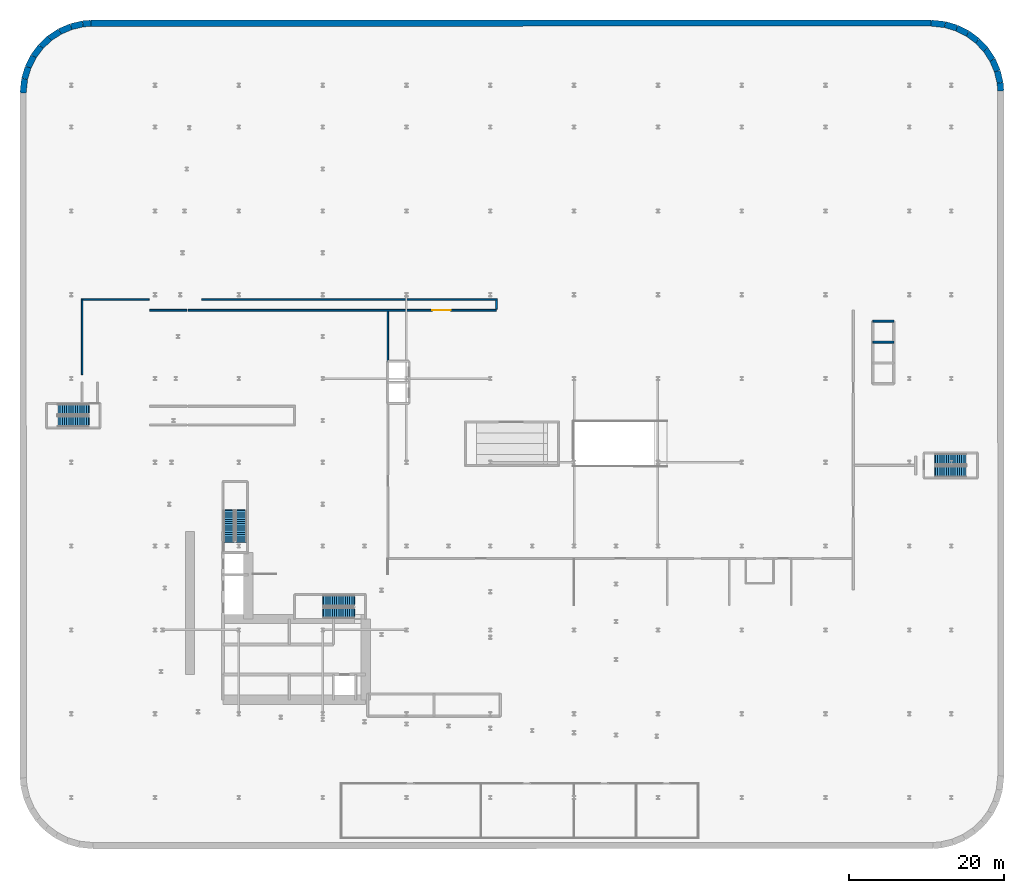
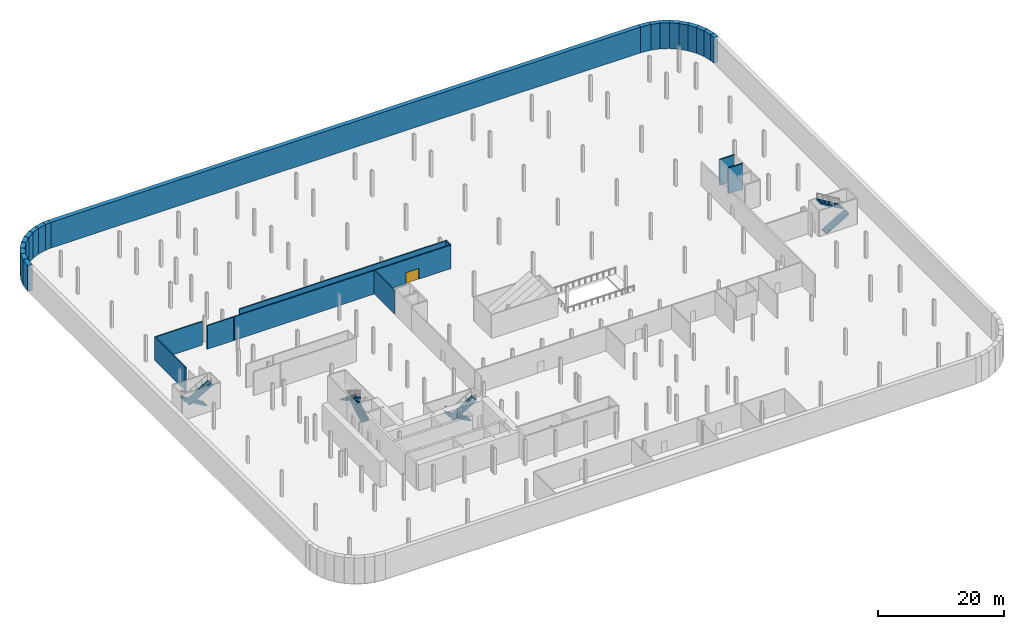
# One storey, part 14 of 19: 28 walls, 8 stair flights, 1 door, 1 opening, 4 elements without a shape of their own.
"""IFC4 building model written with IfcOpenShell, lengths in metres."""

from ifc_helpers import new_model, si_unit, direction, frame, frame_2d, origin, place, context, subcontext, project, spatial, polyline, rectangle, outline, extrude, source, transform, mapped, material, layer, layer_set, type_object, element, fill, aggregate, save


model = new_model("IFC4")

# Units and contexts
model_context = context("Model", 3, precision=1e-05, world=origin(), true_north=direction((0.0, 1.0)))
body_context = subcontext(model_context, "Body", "Model", "MODEL_VIEW")
ifc_project = project(units=[si_unit("LENGTHUNIT", "METRE"), si_unit("AREAUNIT", "SQUARE_METRE"), si_unit("VOLUMEUNIT", "CUBIC_METRE"), si_unit("PLANEANGLEUNIT", "RADIAN"), si_unit("MASSUNIT", "GRAM", prefix="KILO")], contexts=[model_context])

# Site, building, storey
site_placement = place(None, origin())
site = spatial("IfcSite", under=ifc_project, at=site_placement, CompositionType="ELEMENT")
building_placement = place(site_placement, origin())
building = spatial("IfcBuilding", under=site, at=building_placement, Name="Kheshtan School and Residences Tower", CompositionType="ELEMENT")
storey_placement = place(building_placement, frame((0.0, 0.0, -5.0)))
storey = spatial("IfcBuildingStorey", under=building, at=storey_placement, Name="B1", CompositionType="ELEMENT", Elevation=-5.0)

# Walls
ifc_material_1 = material(Name="Concrete C35/45", Category="concrete")
ifc_layer_1 = layer(ifc_material_1, 0.800048828125)
ifc_layer_set_1 = layer_set([ifc_layer_1], Name="Basement wall 800 Concrete C35/45")
wall_type_1 = type_object("IfcWallType", Name="Basement wall 800 Concrete C35/45", PredefinedType="SOLIDWALL", material=ifc_layer_set_1)
wall_1_placement = place(storey_placement, frame((9.0, 104.0, 0.0), z_axis=(0.0, 0.0, 1.0), x_axis=(0.105567043429, 0.994412187849, 0.0)))
element("IfcWall", 1, at=wall_1_placement, inside=storey, type_object=wall_type_1, Name="Secant pile wall 1", PredefinedType="SOLIDWALL", context=body_context, shape_type="SweptSolid", body=[
    extrude(rectangle(XDim=1.829345703125, YDim=0.800048828125, at=frame_2d((0.91455078125, 0.0))), origin(), (0.0, 0.0, 1.0), 5.0),
])
wall_2_placement = place(storey_placement, frame((9.193115234375, 105.819091796875, 0.0), z_axis=(0.0, 0.0, 1.0), x_axis=(0.287147763375, 0.957886299092, 0.0)))
element("IfcWall", 2, at=wall_2_placement, inside=storey, type_object=wall_type_1, Name="Secant pile wall 2", PredefinedType="SOLIDWALL", context=body_context, shape_type="SweptSolid", body=[
    extrude(rectangle(XDim=1.56689453125, YDim=0.800048828125, at=frame_2d((0.783447265625, 0.0))), origin(), (0.0, 0.0, 1.0), 5.0),
])
wall_3_placement = place(storey_placement, frame((9.64306640625, 107.320068359375, 0.0), z_axis=(0.0, 0.0, 1.0), x_axis=(0.448459314462, 0.893803246399, 0.0)))
element("IfcWall", 3, at=wall_3_placement, inside=storey, type_object=wall_type_1, Name="Secant pile wall 3", PredefinedType="SOLIDWALL", context=body_context, shape_type="SweptSolid", body=[
    extrude(rectangle(XDim=1.5673828125, YDim=0.800048828125, at=frame_2d((0.78369140625, 0.0))), origin(), (0.0, 0.0, 1.0), 5.0),
])
wall_4_placement = place(storey_placement, frame((10.345947265625, 108.720947265625, 0.0), z_axis=(0.0, 0.0, 1.0), x_axis=(0.597630520512, 0.801771638905, 0.0)))
element("IfcWall", 4, at=wall_4_placement, inside=storey, type_object=wall_type_1, Name="Secant pile wall 4", PredefinedType="SOLIDWALL", context=body_context, shape_type="SweptSolid", body=[
    extrude(rectangle(XDim=1.56787109375, YDim=0.800048828125, at=frame_2d((0.783935546875, 0.0))), origin(), (0.0, 0.0, 1.0), 5.0),
])
wall_5_placement = place(storey_placement, frame((11.282958984375, 109.97802734375, 0.0), z_axis=(0.0, 0.0, 1.0), x_axis=(0.726995868662, 0.686641833089, 0.0)))
element("IfcWall", 5, at=wall_5_placement, inside=storey, type_object=wall_type_1, Name="Secant pile wall 5", PredefinedType="SOLIDWALL", context=body_context, shape_type="SweptSolid", body=[
    extrude(rectangle(XDim=1.56689453125, YDim=0.800048828125, at=frame_2d((0.783447265625, 0.0))), origin(), (0.0, 0.0, 1.0), 5.0),
])
wall_6_placement = place(storey_placement, frame((12.422119140625, 111.053955078125, 0.0), z_axis=(0.0, 0.0, 1.0), x_axis=(0.835603348101, 0.549333272834, 0.0)))
element("IfcWall", 6, at=wall_6_placement, inside=storey, type_object=wall_type_1, Name="Secant pile wall 6", PredefinedType="SOLIDWALL", context=body_context, shape_type="SweptSolid", body=[
    extrude(rectangle(XDim=1.567626953125, YDim=0.800048828125, at=frame_2d((0.78369140625, 0.0))), origin(), (0.0, 0.0, 1.0), 5.0),
])
wall_7_placement = place(storey_placement, frame((13.73193359375, 111.9150390625, 0.0), z_axis=(0.0, 0.0, 1.0), x_axis=(0.918183437355, 0.396155493925, 0.0)))
element("IfcWall", 7, at=wall_7_placement, inside=storey, type_object=wall_type_1, Name="Secant pile wall 7", PredefinedType="SOLIDWALL", context=body_context, shape_type="SweptSolid", body=[
    extrude(rectangle(XDim=1.567138671875, YDim=0.800048828125, at=frame_2d((0.78369140625, 0.0))), origin(), (0.0, 0.0, 1.0), 5.0),
])
wall_8_placement = place(storey_placement, frame((15.1708984375, 112.535888671875, 0.0), z_axis=(0.0, 0.0, 1.0), x_axis=(0.972992949439, 0.230834833469, 0.0)))
element("IfcWall", 8, at=wall_8_placement, inside=storey, type_object=wall_type_1, Name="Secant pile wall 8", PredefinedType="SOLIDWALL", context=body_context, shape_type="SweptSolid", body=[
    extrude(rectangle(XDim=1.568603515625, YDim=0.800048828125, at=frame_2d((0.7841796875, 0.0))), origin(), (0.0, 0.0, 1.0), 5.0),
])
wall_9_placement = place(storey_placement, frame((16.697021484375, 112.89794921875, 0.0), z_axis=(0.0, 0.0, 1.0), x_axis=(0.996202832813, 0.087062712427, 0.0)))
element("IfcWall", 9, at=wall_9_placement, inside=storey, type_object=wall_type_1, Name="Secant pile wall 9", PredefinedType="SOLIDWALL", context=body_context, shape_type="SweptSolid", body=[
    extrude(rectangle(XDim=1.0458984375, YDim=0.800048828125, at=frame_2d((0.52294921875, 0.0))), origin(), (0.0, 0.0, 1.0), 5.0),
])
wall_10_placement = place(storey_placement, frame((17.739013671875, 112.989013671875, 0.0), z_axis=(0.0, 0.0, 1.0), x_axis=(0.999999994851, 0.000101480029, 0.0)))
element("IfcWall", 10, at=wall_10_placement, inside=storey, type_object=wall_type_1, Name="Secant pile wall 10", PredefinedType="SOLIDWALL", context=body_context, shape_type="SweptSolid", body=[
    extrude(rectangle(XDim=108.260986328125, YDim=0.800048828125, at=frame_2d((54.13037109375, 0.0))), origin(), (0.0, 0.0, 1.0), 5.0),
])
wall_11_placement = place(storey_placement, frame((126.0, 113.0, 0.0), z_axis=(0.0, 0.0, 1.0), x_axis=(0.994412187849, -0.105567043429, 0.0)))
element("IfcWall", 11, at=wall_11_placement, inside=storey, type_object=wall_type_1, Name="Secant pile wall 11", PredefinedType="SOLIDWALL", context=body_context, shape_type="SweptSolid", body=[
    extrude(rectangle(XDim=1.829345703125, YDim=0.800048828125, at=frame_2d((0.91455078125, 0.0))), origin(), (0.0, 0.0, 1.0), 5.0),
])
wall_12_placement = place(storey_placement, frame((127.819091796875, 112.806884765625, 0.0), z_axis=(0.0, 0.0, 1.0), x_axis=(0.957886299092, -0.287147763375, 0.0)))
element("IfcWall", 12, at=wall_12_placement, inside=storey, type_object=wall_type_1, Name="Secant pile wall 12", PredefinedType="SOLIDWALL", context=body_context, shape_type="SweptSolid", body=[
    extrude(rectangle(XDim=1.56689453125, YDim=0.800048828125, at=frame_2d((0.783447265625, 0.0))), origin(), (0.0, 0.0, 1.0), 5.0),
])
wall_13_placement = place(storey_placement, frame((129.320068359375, 112.35693359375, 0.0), z_axis=(0.0, 0.0, 1.0), x_axis=(0.893803246399, -0.448459314462, 0.0)))
element("IfcWall", 13, at=wall_13_placement, inside=storey, type_object=wall_type_1, Name="Secant pile wall 13", PredefinedType="SOLIDWALL", context=body_context, shape_type="SweptSolid", body=[
    extrude(rectangle(XDim=1.5673828125, YDim=0.800048828125, at=frame_2d((0.78369140625, 0.0))), origin(), (0.0, 0.0, 1.0), 5.0),
])
wall_14_placement = place(storey_placement, frame((130.720947265625, 111.654052734375, 0.0), z_axis=(0.0, 0.0, 1.0), x_axis=(0.801771638905, -0.597630520512, 0.0)))
element("IfcWall", 14, at=wall_14_placement, inside=storey, type_object=wall_type_1, Name="Secant pile wall 14", PredefinedType="SOLIDWALL", context=body_context, shape_type="SweptSolid", body=[
    extrude(rectangle(XDim=1.56787109375, YDim=0.800048828125, at=frame_2d((0.783935546875, 0.0))), origin(), (0.0, 0.0, 1.0), 5.0),
])
wall_15_placement = place(storey_placement, frame((131.97802734375, 110.717041015625, 0.0), z_axis=(0.0, 0.0, 1.0), x_axis=(0.686641833089, -0.726995868662, 0.0)))
element("IfcWall", 15, at=wall_15_placement, inside=storey, type_object=wall_type_1, Name="Secant pile wall 15", PredefinedType="SOLIDWALL", context=body_context, shape_type="SweptSolid", body=[
    extrude(rectangle(XDim=1.56689453125, YDim=0.800048828125, at=frame_2d((0.783447265625, 0.0))), origin(), (0.0, 0.0, 1.0), 5.0),
])
wall_16_placement = place(storey_placement, frame((133.053955078125, 109.577880859375, 0.0), z_axis=(0.0, 0.0, 1.0), x_axis=(0.549333272834, -0.835603348101, 0.0)))
element("IfcWall", 16, at=wall_16_placement, inside=storey, type_object=wall_type_1, Name="Secant pile wall 16", PredefinedType="SOLIDWALL", context=body_context, shape_type="SweptSolid", body=[
    extrude(rectangle(XDim=1.567626953125, YDim=0.800048828125, at=frame_2d((0.78369140625, 0.0))), origin(), (0.0, 0.0, 1.0), 5.0),
])
wall_17_placement = place(storey_placement, frame((133.9150390625, 108.26806640625, 0.0), z_axis=(0.0, 0.0, 1.0), x_axis=(0.396155493925, -0.918183437355, 0.0)))
element("IfcWall", 17, at=wall_17_placement, inside=storey, type_object=wall_type_1, Name="Secant pile wall 17", PredefinedType="SOLIDWALL", context=body_context, shape_type="SweptSolid", body=[
    extrude(rectangle(XDim=1.567138671875, YDim=0.800048828125, at=frame_2d((0.78369140625, 0.0))), origin(), (0.0, 0.0, 1.0), 5.0),
])
wall_18_placement = place(storey_placement, frame((134.535888671875, 106.8291015625, 0.0), z_axis=(0.0, 0.0, 1.0), x_axis=(0.230834833469, -0.972992949439, 0.0)))
element("IfcWall", 18, at=wall_18_placement, inside=storey, type_object=wall_type_1, Name="Secant pile wall 18", PredefinedType="SOLIDWALL", context=body_context, shape_type="SweptSolid", body=[
    extrude(rectangle(XDim=1.568603515625, YDim=0.800048828125, at=frame_2d((0.7841796875, 0.0))), origin(), (0.0, 0.0, 1.0), 5.0),
])
wall_19_placement = place(storey_placement, frame((134.89794921875, 105.302978515625, 0.0), z_axis=(0.0, 0.0, 1.0), x_axis=(0.087062712427, -0.996202832813, 0.0)))
element("IfcWall", 19, at=wall_19_placement, inside=storey, type_object=wall_type_1, Name="Secant pile wall 19", PredefinedType="SOLIDWALL", context=body_context, shape_type="SweptSolid", body=[
    extrude(rectangle(XDim=1.0458984375, YDim=0.800048828125, at=frame_2d((0.52294921875, 0.0))), origin(), (0.0, 0.0, 1.0), 5.0),
])
ifc_material_2 = material(Name="Gypsum board on steel studs with fire boards", Category="steel")
ifc_layer_2 = layer(ifc_material_2, 0.199951171875)
ifc_layer_set_2 = layer_set([ifc_layer_2], Name="Corridor wall 200")
wall_type_2 = type_object("IfcWallType", Name="Corridor wall 200", PredefinedType="PARTITIONING", material=ifc_layer_set_2)
wall_20_placement = place(storey_placement, frame((16.60009765625, 67.699951171875, 0.0), z_axis=(0.0, 0.0, 1.0), x_axis=(0.0, 1.0, 0.0)))
element("IfcWall", 20, at=wall_20_placement, inside=storey, type_object=wall_type_2, Name="Partition B1-002", PredefinedType="PARTITIONING", context=body_context, shape_type="SweptSolid", body=[
    extrude(rectangle(XDim=9.800048828125, YDim=0.199951171875, at=frame_2d((4.89990234375, 0.0))), origin(), (0.0, 0.0, 1.0), 4.580078125),
])
wall_21_placement = place(storey_placement, frame((16.699951171875, 77.39990234375, 0.0), z_axis=(0.0, 0.0, 1.0), x_axis=(1.0, 0.0, 0.0)))
element("IfcWall", 21, at=wall_21_placement, inside=storey, type_object=wall_type_2, Name="Partition B1-003", PredefinedType="PARTITIONING", context=body_context, shape_type="SweptSolid", body=[
    extrude(rectangle(XDim=8.550048828125, YDim=0.199951171875, at=frame_2d((4.27490234375, 0.0))), origin(), (0.0, 0.0, 1.0), 4.580078125),
])
wall_22_placement = place(storey_placement, frame((25.300048828125, 76.0, 0.0), z_axis=(0.0, 0.0, 1.0), x_axis=(1.0, 0.0, 0.0)))
element("IfcWall", 22, at=wall_22_placement, inside=storey, type_object=wall_type_2, Name="Partition B1-007", PredefinedType="PARTITIONING", context=body_context, shape_type="SweptSolid", body=[
    extrude(rectangle(XDim=4.800048828125, YDim=0.199951171875, at=frame_2d((2.39990234375, 0.0))), origin(), (0.0, 0.0, 1.0), 4.580078125),
])

# Wall, opening, door
wall_23_placement = place(storey_placement, frame((30.25, 76.0, 0.0), z_axis=(0.0, 0.0, 1.0), x_axis=(1.0, 0.0, 0.0)))
wall_23 = element("IfcWall", 23, at=wall_23_placement, inside=storey, type_object=wall_type_2, Name="Partition B1-010", PredefinedType="PARTITIONING", context=body_context, shape_type="SweptSolid", body=[
    extrude(rectangle(XDim=39.75, YDim=0.199951171875, at=frame_2d((19.875, 0.0))), origin(), (0.0, 0.0, 1.0), 4.580078125),
])
opening_placement = place(wall_23_placement, frame((31.449951171875, 0.0, 0.0)))
opening = element("IfcOpeningElement", 24, at=opening_placement, cuts=wall_23, Name="Opening D1-002", PredefinedType="OPENING", context=body_context, shape_type="SweptSolid", body=[
    extrude(rectangle(XDim=2.39990234375, YDim=2.10009765625, at=frame_2d((1.199951171875, 1.050048828125))), frame((0.0, 0.10986328125, 0.0), z_axis=(0.0, -1.0, 0.0), x_axis=(1.0, 0.0, 0.0)), (0.0, 0.0, 1.0), 0.219970703125),
])
ifc_material_3 = material(Name="Steel-framed fire-resisting door leaf", Category="steel")
door_type = type_object("IfcDoorType", Name="Fire double door FD60 2400 x 2100", OperationType="DOUBLE_DOOR_SINGLE_SWING", PredefinedType="DOOR", material=ifc_material_3)
shared_shape = source(origin(), body_context, "Body", "SweptSolid", [
    extrude(rectangle(XDim=2.39990234375, YDim=2.10009765625, at=frame_2d((1.199951171875, 1.050048828125))), frame((0.0, 0.02490234375, 0.0), z_axis=(0.0, -1.0, 0.0), x_axis=(1.0, 0.0, 0.0)), (0.0, 0.0, 1.0), 0.050048828125),
])
door_placement = place(opening_placement, origin())
door = element("IfcDoor", 25, at=door_placement, inside=storey, type_object=door_type, Name="Door D1-002", OperationType="DOUBLE_DOOR_SINGLE_SWING", OverallHeight=2.10009765625, OverallWidth=2.39990234375, PredefinedType="DOOR", context=body_context, shape_type="MappedRepresentation", body=[
    mapped(shared_shape, transform((0.0, 0.0, 0.0), x_axis=(1.0, 0.0, 0.0), y_axis=(0.0, 1.0, 0.0), z_axis=(0.0, 0.0, 1.0), scale=1.0)),
])
fill(opening, door)

# Walls
wall_24_placement = place(storey_placement, frame((32.0, 77.39990234375, 0.0), z_axis=(0.0, 0.0, 1.0), x_axis=(1.0, 0.0, 0.0)))
element("IfcWall", 26, at=wall_24_placement, inside=storey, type_object=wall_type_2, Name="Partition B1-011", PredefinedType="PARTITIONING", context=body_context, shape_type="SweptSolid", body=[
    extrude(rectangle(XDim=38.10009765625, YDim=0.199951171875, at=frame_2d((19.050048828125, 0.0))), origin(), (0.0, 0.0, 1.0), 4.580078125),
])
wall_25_placement = place(storey_placement, frame((56.0, 69.39990234375, 0.0), z_axis=(0.0, 0.0, 1.0), x_axis=(0.0, 1.0, 0.0)))
element("IfcWall", 27, at=wall_25_placement, inside=storey, type_object=wall_type_2, Name="Partition B1-019", PredefinedType="PARTITIONING", context=body_context, shape_type="SweptSolid", body=[
    extrude(rectangle(XDim=6.5, YDim=0.199951171875, at=frame_2d((3.25, 0.0))), origin(), (0.0, 0.0, 1.0), 4.580078125),
])
wall_26_placement = place(storey_placement, frame((70.0, 76.14990234375, 0.0), z_axis=(0.0, 0.0, 1.0), x_axis=(0.0, 1.0, 0.0)))
element("IfcWall", 28, at=wall_26_placement, inside=storey, type_object=wall_type_2, Name="Partition B1-025", PredefinedType="PARTITIONING", context=body_context, shape_type="SweptSolid", body=[
    extrude(rectangle(XDim=1.150146484375, YDim=0.199951171875, at=frame_2d((0.5751953125, 0.0))), origin(), (0.0, 0.0, 1.0), 4.580078125),
])
ifc_material_4 = material(Name="Fire-board shaft wall system")
ifc_layer_3 = layer(ifc_material_4, 0.25)
ifc_layer_set_3 = layer_set([ifc_layer_3], Name="Shaft lining wall 250")
wall_type_3 = type_object("IfcWallType", Name="Shaft lining wall 250", PredefinedType="PARTITIONING", material=ifc_layer_set_3)
for number, where, z_axis, x_axis, name in (
    (29, (118.5, 71.89990234375, 0.0), (0.0, 0.0, 1.0), (1.0, 0.0, 0.0), "Shaft lining wall"),
    (30, (118.5, 74.60009765625, 0.0), (0.0, 0.0, 1.0), (1.0, 0.0, 0.0), "Shaft lining wall"),
):
    element("IfcWall", number, at=place(storey_placement, frame(where, z_axis=z_axis, x_axis=x_axis)), inside=storey, type_object=wall_type_3, Name=name, PredefinedType="PARTITIONING", context=body_context, shape_type="SweptSolid", body=[
        extrude(rectangle(XDim=2.699951171875, YDim=0.25, at=frame_2d((1.35009765625, 0.0))), origin(), (0.0, 0.0, 1.0), 5.0),
    ])

# Stair, stair flights
ifc_material_5 = material(Name="Concrete C40/50", Category="concrete")
stair_type = type_object("IfcStairType", Name="Exit stair, half-turn", PredefinedType="HALF_TURN_STAIR", material=ifc_material_5)
stair_1_placement = place(storey_placement, origin())
stair_1 = element("IfcStair", 31, at=stair_1_placement, inside=storey, type_object=stair_type, Name="B1 Protected Exit Stair ST1", PredefinedType="HALF_TURN_STAIR")
ifc_layer_4 = layer(ifc_material_5, 0.14990234375)
ifc_layer_set_4 = layer_set([ifc_layer_4], Name="Stair flight 1400 Concrete C40/50")
stair_flight_type = type_object("IfcStairFlightType", Name="Stair flight 1400 Concrete C40/50", PredefinedType="STRAIGHT", material=ifc_layer_set_4)
stair_flight_1_placement = place(storey_placement, frame((51.64990234375, 38.550048828125, 0.0), z_axis=(0.0, 0.0, 1.0), x_axis=(-1.0, 0.0, 0.0)))
stair_flight_1 = element("IfcStairFlight", 32, at=stair_flight_1_placement, type_object=stair_flight_type, Name="ST1 flight 1", NumberOfRisers=15, NumberOfTreads=14, PredefinedType="STRAIGHT", RiserHeight=0.166666667, TreadLength=0.28, context=body_context, shape_type="SweptSolid", body=[
    extrude(outline(polyline([(-0.14990234375, -0.10009765625), (-0.14990234375, 0.0), (0.0, 0.0), (0.0, 0.166748046875), (0.280029296875, 0.166748046875), (0.280029296875, 0.333251953125), (0.56005859375, 0.333251953125), (0.56005859375, 0.5), (0.840087890625, 0.5), (0.840087890625, 0.666748046875), (1.1201171875, 0.666748046875), (1.1201171875, 0.833251953125), (1.39990234375, 0.833251953125), (1.39990234375, 1.0), (1.679931640625, 1.0), (1.679931640625, 1.166748046875), (1.9599609375, 1.166748046875), (1.9599609375, 1.333251953125), (2.239990234375, 1.333251953125), (2.239990234375, 1.5), (2.52001953125, 1.5), (2.52001953125, 1.666748046875), (2.800048828125, 1.666748046875), (2.800048828125, 1.833251953125), (3.080078125, 1.833251953125), (3.080078125, 2.0), (3.360107421875, 2.0), (3.360107421875, 2.166748046875), (3.639892578125, 2.166748046875), (3.639892578125, 2.333251953125), (3.919921875, 2.333251953125), (3.919921875, 2.5), (3.919921875, 2.52001953125), (4.06982421875, 2.52001953125), (4.06982421875, 2.158935546875), (0.29296875, 0.0), (-0.14990234375, -0.10009765625)])), frame((0.0, 0.699951171875, 0.0), z_axis=(0.0, -1.0, 0.0), x_axis=(1.0, 0.0, 0.0)), (0.0, 0.0, 1.0), 1.39990234375),
])
stair_flight_2_placement = place(storey_placement, frame((47.72998046875, 37.0, 2.5), z_axis=(0.0, 0.0, 1.0), x_axis=(1.0, 0.0, 0.0)))
stair_flight_2 = element("IfcStairFlight", 33, at=stair_flight_2_placement, type_object=stair_flight_type, Name="ST1 flight 2", NumberOfRisers=15, NumberOfTreads=14, PredefinedType="STRAIGHT", RiserHeight=0.166666667, TreadLength=0.28, context=body_context, shape_type="SweptSolid", body=[
    extrude(outline(polyline([(-0.14990234375, -0.10009765625), (-0.14990234375, 0.0), (0.0, 0.0), (0.0, 0.166748046875), (0.280029296875, 0.166748046875), (0.280029296875, 0.333251953125), (0.56005859375, 0.333251953125), (0.56005859375, 0.5), (0.840087890625, 0.5), (0.840087890625, 0.666748046875), (1.1201171875, 0.666748046875), (1.1201171875, 0.833251953125), (1.39990234375, 0.833251953125), (1.39990234375, 1.0), (1.679931640625, 1.0), (1.679931640625, 1.166748046875), (1.9599609375, 1.166748046875), (1.9599609375, 1.333251953125), (2.239990234375, 1.333251953125), (2.239990234375, 1.5), (2.52001953125, 1.5), (2.52001953125, 1.666748046875), (2.800048828125, 1.666748046875), (2.800048828125, 1.833251953125), (3.080078125, 1.833251953125), (3.080078125, 2.0), (3.360107421875, 2.0), (3.360107421875, 2.166748046875), (3.639892578125, 2.166748046875), (3.639892578125, 2.333251953125), (3.919921875, 2.333251953125), (3.919921875, 2.5), (3.919921875, 2.52001953125), (4.06982421875, 2.52001953125), (4.06982421875, 2.158935546875), (0.29296875, 0.0), (-0.14990234375, -0.10009765625)])), frame((0.0, 0.699951171875, 0.0), z_axis=(0.0, -1.0, 0.0), x_axis=(1.0, 0.0, 0.0)), (0.0, 0.0, 1.0), 1.39990234375),
])
aggregate(stair_1, [stair_flight_1, stair_flight_2])

stair_2_placement = place(storey_placement, origin())
stair_2 = element("IfcStair", 34, at=stair_2_placement, inside=storey, type_object=stair_type, Name="B1 Protected Exit Stair ST2", PredefinedType="HALF_TURN_STAIR")
stair_flight_3_placement = place(storey_placement, frame((37.10009765625, 46.25, 0.0), z_axis=(0.0, 0.0, 1.0), x_axis=(0.0, 1.0, 0.0)))
stair_flight_3 = element("IfcStairFlight", 35, at=stair_flight_3_placement, type_object=stair_flight_type, Name="ST2 flight 1", NumberOfRisers=15, NumberOfTreads=14, PredefinedType="STRAIGHT", RiserHeight=0.166666667, TreadLength=0.28, context=body_context, shape_type="SweptSolid", body=[
    extrude(outline(polyline([(-0.14990234375, -0.10009765625), (-0.14990234375, 0.0), (0.0, 0.0), (0.0, 0.166748046875), (0.280029296875, 0.166748046875), (0.280029296875, 0.333251953125), (0.56005859375, 0.333251953125), (0.56005859375, 0.5), (0.840087890625, 0.5), (0.840087890625, 0.666748046875), (1.1201171875, 0.666748046875), (1.1201171875, 0.833251953125), (1.39990234375, 0.833251953125), (1.39990234375, 1.0), (1.679931640625, 1.0), (1.679931640625, 1.166748046875), (1.9599609375, 1.166748046875), (1.9599609375, 1.333251953125), (2.239990234375, 1.333251953125), (2.239990234375, 1.5), (2.52001953125, 1.5), (2.52001953125, 1.666748046875), (2.800048828125, 1.666748046875), (2.800048828125, 1.833251953125), (3.080078125, 1.833251953125), (3.080078125, 2.0), (3.360107421875, 2.0), (3.360107421875, 2.166748046875), (3.639892578125, 2.166748046875), (3.639892578125, 2.333251953125), (3.919921875, 2.333251953125), (3.919921875, 2.5), (3.919921875, 2.52001953125), (4.06982421875, 2.52001953125), (4.06982421875, 2.158935546875), (0.29296875, 0.0), (-0.14990234375, -0.10009765625)])), frame((0.0, 0.699951171875, 0.0), z_axis=(0.0, -1.0, 0.0), x_axis=(1.0, 0.0, 0.0)), (0.0, 0.0, 1.0), 1.39990234375),
])
stair_flight_4_placement = place(storey_placement, frame((35.550048828125, 50.169921875, 2.5), z_axis=(0.0, 0.0, 1.0), x_axis=(0.0, -1.0, 0.0)))
stair_flight_4 = element("IfcStairFlight", 36, at=stair_flight_4_placement, type_object=stair_flight_type, Name="ST2 flight 2", NumberOfRisers=15, NumberOfTreads=14, PredefinedType="STRAIGHT", RiserHeight=0.166666667, TreadLength=0.28, context=body_context, shape_type="SweptSolid", body=[
    extrude(outline(polyline([(-0.14990234375, -0.10009765625), (-0.14990234375, 0.0), (0.0, 0.0), (0.0, 0.166748046875), (0.280029296875, 0.166748046875), (0.280029296875, 0.333251953125), (0.56005859375, 0.333251953125), (0.56005859375, 0.5), (0.840087890625, 0.5), (0.840087890625, 0.666748046875), (1.1201171875, 0.666748046875), (1.1201171875, 0.833251953125), (1.39990234375, 0.833251953125), (1.39990234375, 1.0), (1.679931640625, 1.0), (1.679931640625, 1.166748046875), (1.9599609375, 1.166748046875), (1.9599609375, 1.333251953125), (2.239990234375, 1.333251953125), (2.239990234375, 1.5), (2.52001953125, 1.5), (2.52001953125, 1.666748046875), (2.800048828125, 1.666748046875), (2.800048828125, 1.833251953125), (3.080078125, 1.833251953125), (3.080078125, 2.0), (3.360107421875, 2.0), (3.360107421875, 2.166748046875), (3.639892578125, 2.166748046875), (3.639892578125, 2.333251953125), (3.919921875, 2.333251953125), (3.919921875, 2.5), (3.919921875, 2.52001953125), (4.06982421875, 2.52001953125), (4.06982421875, 2.158935546875), (0.29296875, 0.0), (-0.14990234375, -0.10009765625)])), frame((0.0, 0.699951171875, 0.0), z_axis=(0.0, -1.0, 0.0), x_axis=(1.0, 0.0, 0.0)), (0.0, 0.0, 1.0), 1.39990234375),
])
aggregate(stair_2, [stair_flight_3, stair_flight_4])

stair_3_placement = place(storey_placement, origin())
stair_3 = element("IfcStair", 37, at=stair_3_placement, inside=storey, type_object=stair_type, Name="B1 Station Stair east", PredefinedType="HALF_TURN_STAIR")
stair_flight_5_placement = place(storey_placement, frame((126.580078125, 55.199951171875, 0.0), z_axis=(0.0, 0.0, 1.0), x_axis=(1.0, 0.0, 0.0)))
stair_flight_5 = element("IfcStairFlight", 38, at=stair_flight_5_placement, type_object=stair_flight_type, Name="SS-east flight 1", NumberOfRisers=15, NumberOfTreads=14, PredefinedType="STRAIGHT", RiserHeight=0.166666667, TreadLength=0.28, context=body_context, shape_type="SweptSolid", body=[
    extrude(outline(polyline([(-0.14990234375, -0.10009765625), (-0.14990234375, 0.0), (0.0, 0.0), (0.0, 0.166748046875), (0.280029296875, 0.166748046875), (0.280029296875, 0.333251953125), (0.56005859375, 0.333251953125), (0.56005859375, 0.5), (0.840087890625, 0.5), (0.840087890625, 0.666748046875), (1.1201171875, 0.666748046875), (1.1201171875, 0.833251953125), (1.39990234375, 0.833251953125), (1.39990234375, 1.0), (1.679931640625, 1.0), (1.679931640625, 1.166748046875), (1.9599609375, 1.166748046875), (1.9599609375, 1.333251953125), (2.239990234375, 1.333251953125), (2.239990234375, 1.5), (2.52001953125, 1.5), (2.52001953125, 1.666748046875), (2.800048828125, 1.666748046875), (2.800048828125, 1.833251953125), (3.080078125, 1.833251953125), (3.080078125, 2.0), (3.360107421875, 2.0), (3.360107421875, 2.166748046875), (3.639892578125, 2.166748046875), (3.639892578125, 2.333251953125), (3.919921875, 2.333251953125), (3.919921875, 2.5), (3.919921875, 2.52001953125), (4.06982421875, 2.52001953125), (4.06982421875, 2.158935546875), (0.29296875, 0.0), (-0.14990234375, -0.10009765625)])), frame((0.0, 0.699951171875, 0.0), z_axis=(0.0, -1.0, 0.0), x_axis=(1.0, 0.0, 0.0)), (0.0, 0.0, 1.0), 1.39990234375),
])
stair_flight_6_placement = place(storey_placement, frame((130.5, 56.800048828125, 2.5), z_axis=(0.0, 0.0, 1.0), x_axis=(-1.0, 0.0, 0.0)))
stair_flight_6 = element("IfcStairFlight", 39, at=stair_flight_6_placement, type_object=stair_flight_type, Name="SS-east flight 2", NumberOfRisers=15, NumberOfTreads=14, PredefinedType="STRAIGHT", RiserHeight=0.166666667, TreadLength=0.28, context=body_context, shape_type="SweptSolid", body=[
    extrude(outline(polyline([(-0.14990234375, -0.10009765625), (-0.14990234375, 0.0), (0.0, 0.0), (0.0, 0.166748046875), (0.280029296875, 0.166748046875), (0.280029296875, 0.333251953125), (0.56005859375, 0.333251953125), (0.56005859375, 0.5), (0.840087890625, 0.5), (0.840087890625, 0.666748046875), (1.1201171875, 0.666748046875), (1.1201171875, 0.833251953125), (1.39990234375, 0.833251953125), (1.39990234375, 1.0), (1.679931640625, 1.0), (1.679931640625, 1.166748046875), (1.9599609375, 1.166748046875), (1.9599609375, 1.333251953125), (2.239990234375, 1.333251953125), (2.239990234375, 1.5), (2.52001953125, 1.5), (2.52001953125, 1.666748046875), (2.800048828125, 1.666748046875), (2.800048828125, 1.833251953125), (3.080078125, 1.833251953125), (3.080078125, 2.0), (3.360107421875, 2.0), (3.360107421875, 2.166748046875), (3.639892578125, 2.166748046875), (3.639892578125, 2.333251953125), (3.919921875, 2.333251953125), (3.919921875, 2.5), (3.919921875, 2.52001953125), (4.06982421875, 2.52001953125), (4.06982421875, 2.158935546875), (0.29296875, 0.0), (-0.14990234375, -0.10009765625)])), frame((0.0, 0.699951171875, 0.0), z_axis=(0.0, -1.0, 0.0), x_axis=(1.0, 0.0, 0.0)), (0.0, 0.0, 1.0), 1.39990234375),
])
aggregate(stair_3, [stair_flight_5, stair_flight_6])

stair_4_placement = place(storey_placement, origin())
stair_4 = element("IfcStair", 40, at=stair_4_placement, inside=storey, type_object=stair_type, Name="B1 Station Stair west", PredefinedType="HALF_TURN_STAIR")
stair_flight_7_placement = place(storey_placement, frame((17.419921875, 63.199951171875, 0.0), z_axis=(0.0, 0.0, 1.0), x_axis=(-1.0, 0.0, 0.0)))
stair_flight_7 = element("IfcStairFlight", 41, at=stair_flight_7_placement, type_object=stair_flight_type, Name="SS-west flight 1", NumberOfRisers=15, NumberOfTreads=14, PredefinedType="STRAIGHT", RiserHeight=0.166666667, TreadLength=0.28, context=body_context, shape_type="SweptSolid", body=[
    extrude(outline(polyline([(-0.14990234375, -0.10009765625), (-0.14990234375, 0.0), (0.0, 0.0), (0.0, 0.166748046875), (0.280029296875, 0.166748046875), (0.280029296875, 0.333251953125), (0.56005859375, 0.333251953125), (0.56005859375, 0.5), (0.840087890625, 0.5), (0.840087890625, 0.666748046875), (1.1201171875, 0.666748046875), (1.1201171875, 0.833251953125), (1.39990234375, 0.833251953125), (1.39990234375, 1.0), (1.679931640625, 1.0), (1.679931640625, 1.166748046875), (1.9599609375, 1.166748046875), (1.9599609375, 1.333251953125), (2.239990234375, 1.333251953125), (2.239990234375, 1.5), (2.52001953125, 1.5), (2.52001953125, 1.666748046875), (2.800048828125, 1.666748046875), (2.800048828125, 1.833251953125), (3.080078125, 1.833251953125), (3.080078125, 2.0), (3.360107421875, 2.0), (3.360107421875, 2.166748046875), (3.639892578125, 2.166748046875), (3.639892578125, 2.333251953125), (3.919921875, 2.333251953125), (3.919921875, 2.5), (3.919921875, 2.52001953125), (4.06982421875, 2.52001953125), (4.06982421875, 2.158935546875), (0.29296875, 0.0), (-0.14990234375, -0.10009765625)])), frame((0.0, 0.699951171875, 0.0), z_axis=(0.0, -1.0, 0.0), x_axis=(1.0, 0.0, 0.0)), (0.0, 0.0, 1.0), 1.39990234375),
])
stair_flight_8_placement = place(storey_placement, frame((13.5, 61.64990234375, 2.5), z_axis=(0.0, 0.0, 1.0), x_axis=(1.0, 0.0, 0.0)))
stair_flight_8 = element("IfcStairFlight", 42, at=stair_flight_8_placement, type_object=stair_flight_type, Name="SS-west flight 2", NumberOfRisers=15, NumberOfTreads=14, PredefinedType="STRAIGHT", RiserHeight=0.166666667, TreadLength=0.28, context=body_context, shape_type="SweptSolid", body=[
    extrude(outline(polyline([(-0.14990234375, -0.10009765625), (-0.14990234375, 0.0), (0.0, 0.0), (0.0, 0.166748046875), (0.280029296875, 0.166748046875), (0.280029296875, 0.333251953125), (0.56005859375, 0.333251953125), (0.56005859375, 0.5), (0.840087890625, 0.5), (0.840087890625, 0.666748046875), (1.1201171875, 0.666748046875), (1.1201171875, 0.833251953125), (1.39990234375, 0.833251953125), (1.39990234375, 1.0), (1.679931640625, 1.0), (1.679931640625, 1.166748046875), (1.9599609375, 1.166748046875), (1.9599609375, 1.333251953125), (2.239990234375, 1.333251953125), (2.239990234375, 1.5), (2.52001953125, 1.5), (2.52001953125, 1.666748046875), (2.800048828125, 1.666748046875), (2.800048828125, 1.833251953125), (3.080078125, 1.833251953125), (3.080078125, 2.0), (3.360107421875, 2.0), (3.360107421875, 2.166748046875), (3.639892578125, 2.166748046875), (3.639892578125, 2.333251953125), (3.919921875, 2.333251953125), (3.919921875, 2.5), (3.919921875, 2.52001953125), (4.06982421875, 2.52001953125), (4.06982421875, 2.158935546875), (0.29296875, 0.0), (-0.14990234375, -0.10009765625)])), frame((0.0, 0.699951171875, 0.0), z_axis=(0.0, -1.0, 0.0), x_axis=(1.0, 0.0, 0.0)), (0.0, 0.0, 1.0), 1.39990234375),
])
aggregate(stair_4, [stair_flight_7, stair_flight_8])

save(model, "model.ifc")
